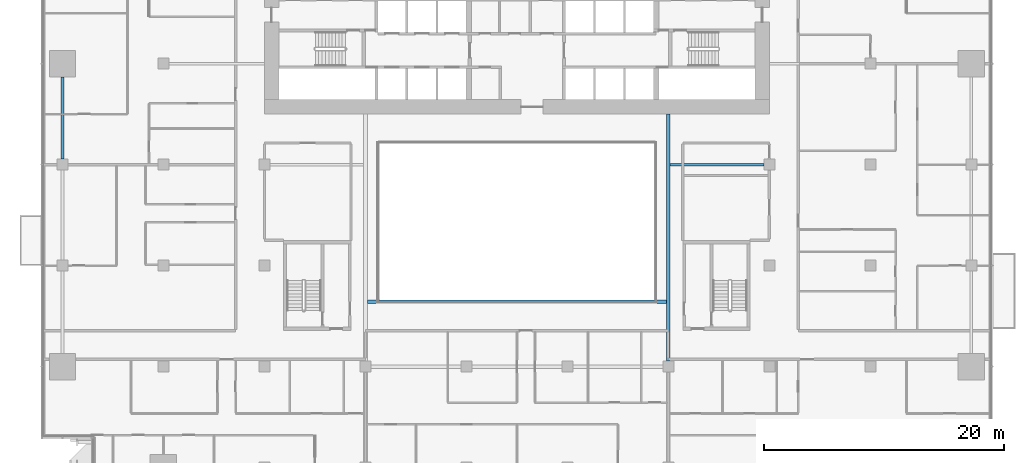
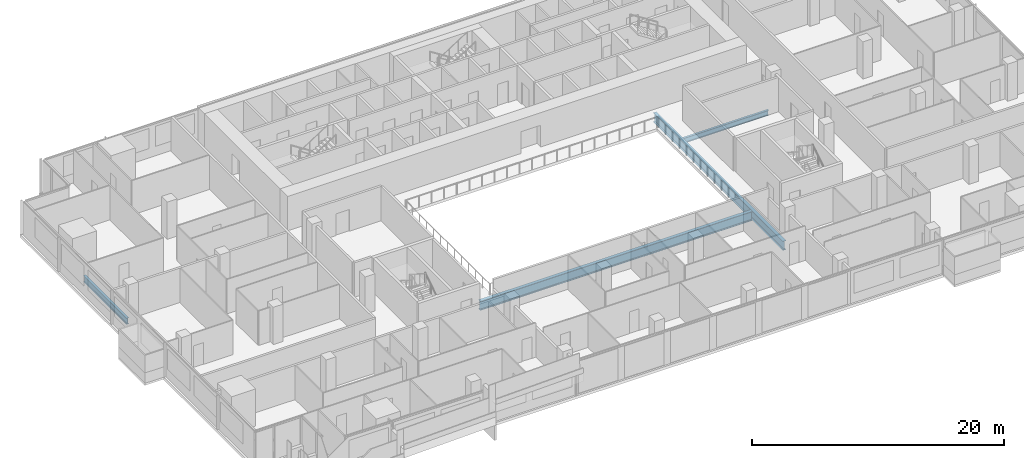
# One storey, part 7 of 29: 4 beams.
"""IFC4 building model written with IfcOpenShell, lengths in metres."""

from ifc_helpers import new_model, si_unit, direction, frame, origin, origin_2d, place, context, subcontext, project, spatial, i_section, extrude, material, material_profile, profile_set, type_object, element, save


model = new_model("IFC4")

# Units and contexts
model_context = context("Model", 3, precision=1e-05, world=origin(), true_north=direction((0.0, 1.0)))
body_context = subcontext(model_context, "Body", "Model", "MODEL_VIEW")
ifc_project = project(units=[si_unit("LENGTHUNIT", "METRE"), si_unit("AREAUNIT", "SQUARE_METRE"), si_unit("VOLUMEUNIT", "CUBIC_METRE"), si_unit("PLANEANGLEUNIT", "RADIAN"), si_unit("MASSUNIT", "GRAM", prefix="KILO")], contexts=[model_context])

# Site, building, storey
site_placement = place(None, origin())
site = spatial("IfcSite", under=ifc_project, at=site_placement, CompositionType="ELEMENT")
building_placement = place(site_placement, origin())
building = spatial("IfcBuilding", under=site, at=building_placement, Name="Saffron Gate Tower", CompositionType="ELEMENT")
storey_placement = place(building_placement, frame((0.0, 0.0, 58.800048828125)))
storey = spatial("IfcBuildingStorey", under=building, at=storey_placement, Name="L13", CompositionType="ELEMENT", Elevation=58.800048828125)

# Beams
ifc_material = material(Name="Structural steel S355", Category="steel")
ifc_material_profile_1 = material_profile(ifc_material, i_section(OverallWidth=0.199951171875, OverallDepth=0.5, WebThickness=0.01025390625, FlangeThickness=0.01611328125, FilletRadius=0.02099609375, at=origin_2d()))
ifc_profile_set_1 = profile_set([ifc_material_profile_1], Name="Structural steel S355")
beam_type_1 = type_object("IfcBeamType", Name="B10 IPE 500", PredefinedType="BEAM", material=ifc_profile_set_1)
beam_1_placement = place(storey_placement, frame((108.14990234375, 57.0, -0.530029296875), z_axis=(-1.0, 0.0, 0.0), x_axis=(0.0, -1.0, 0.0)))
element("IfcBeam", 1, at=beam_1_placement, inside=storey, type_object=beam_type_1, Name="B10 CORE TIE BEAM", PredefinedType="BEAM", context=body_context, shape_type="SweptSolid", body=[
    extrude(i_section(OverallWidth=0.199951171875, OverallDepth=0.5, WebThickness=0.01025390625, FlangeThickness=0.01611328125, FilletRadius=0.02099609375, at=origin_2d()), origin(), (0.0, 0.0, 1.0), 7.7998046875),
])
ifc_material_profile_2 = material_profile(ifc_material, i_section(OverallWidth=0.219970703125, OverallDepth=0.60009765625, WebThickness=0.011962890625, FlangeThickness=0.01904296875, FilletRadius=0.02392578125, at=origin_2d()))
ifc_profile_set_2 = profile_set([ifc_material_profile_2], Name="Structural steel S355")
beam_type_2 = type_object("IfcBeamType", Name="B16 IPE 600", PredefinedType="SPANDREL", material=ifc_profile_set_2)
beam_2_placement = place(storey_placement, frame((49.800048828125, 57.449951171875, -0.580078125), z_axis=(0.0, 1.0, 0.0), x_axis=(-1.0, 0.0, 0.0)))
element("IfcBeam", 2, at=beam_2_placement, inside=storey, type_object=beam_type_2, Name="B16 SPANDREL BEAM", PredefinedType="SPANDREL", context=body_context, shape_type="SweptSolid", body=[
    extrude(i_section(OverallWidth=0.219970703125, OverallDepth=0.60009765625, WebThickness=0.011962890625, FlangeThickness=0.01904296875, FilletRadius=0.02392578125, at=origin_2d()), origin(), (0.0, 0.0, 1.0), 6.85009765625),
])
ifc_material_profile_3 = material_profile(ifc_material, i_section(OverallWidth=0.300048828125, OverallDepth=0.889892578125, WebThickness=0.01611328125, FlangeThickness=0.030029296875, FilletRadius=0.030029296875, at=origin_2d()))
ifc_profile_set_3 = profile_set([ifc_material_profile_3], Name="Structural steel S355")
beam_type_3 = type_object("IfcBeamType", Name="B19 HEA 900", PredefinedType="BEAM", material=ifc_profile_set_3)
beam_3_placement = place(storey_placement, frame((100.199951171875, 40.64990234375, -0.72509765625), z_axis=(0.0, 1.0, 0.0), x_axis=(-1.0, 0.0, 0.0)))
element("IfcBeam", 3, at=beam_3_placement, inside=storey, type_object=beam_type_3, Name="B19 ATRIUM GIRDER", PredefinedType="BEAM", context=body_context, shape_type="SweptSolid", body=[
    extrude(i_section(OverallWidth=0.300048828125, OverallDepth=0.889892578125, WebThickness=0.01611328125, FlangeThickness=0.030029296875, FilletRadius=0.030029296875, at=origin_2d()), origin(), (0.0, 0.0, 1.0), 20.550048828125),
])
beam_4_placement = place(storey_placement, frame((75.14990234375, 45.60009765625, -0.72509765625), z_axis=(1.0, 0.0, 0.0), x_axis=(0.0, 1.0, 0.0)))
element("IfcBeam", 4, at=beam_4_placement, inside=storey, type_object=beam_type_3, Name="B19 ATRIUM GIRDER", PredefinedType="BEAM", context=body_context, shape_type="SweptSolid", body=[
    extrude(i_section(OverallWidth=0.300048828125, OverallDepth=0.889892578125, WebThickness=0.01611328125, FlangeThickness=0.030029296875, FilletRadius=0.030029296875, at=origin_2d()), origin(), (0.0, 0.0, 1.0), 24.900146484375),
])

save(model, "model.ifc")
